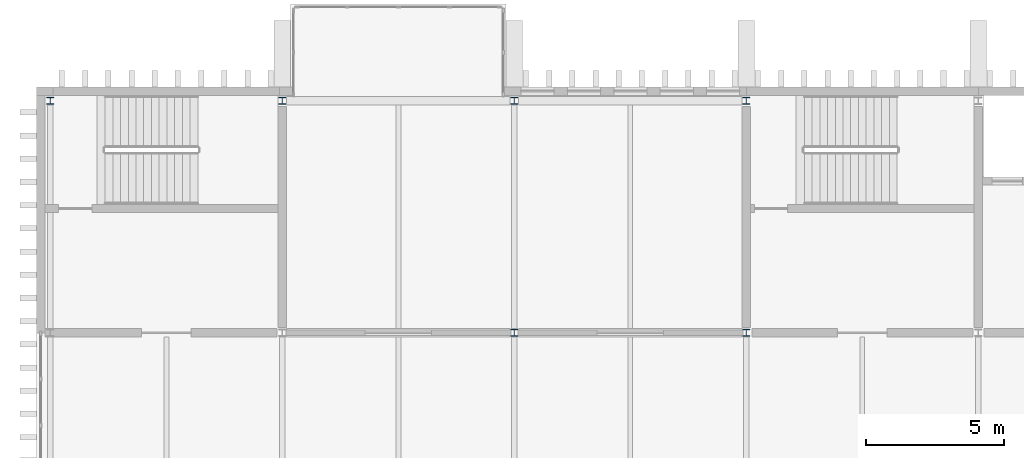
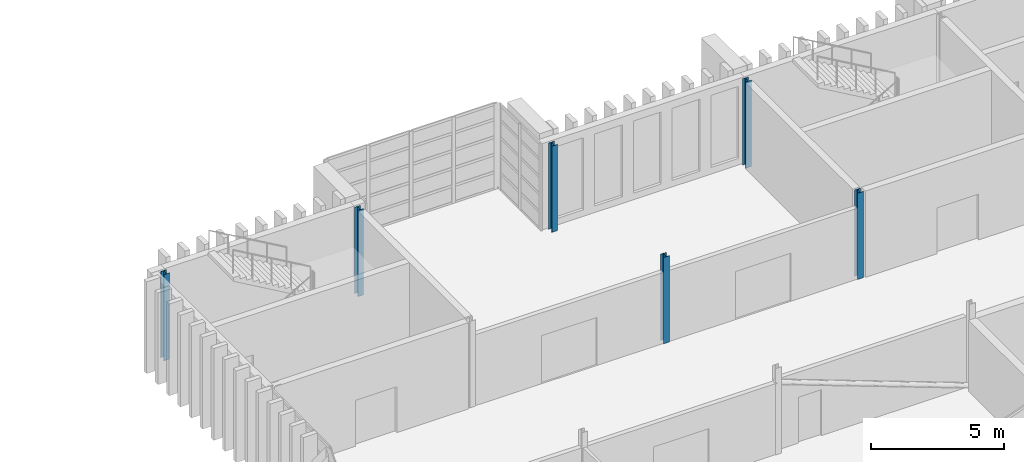
# One storey, part 2 of 88: 6 columns.
"""IFC4 building model written with IfcOpenShell, lengths in metres."""

from ifc_helpers import new_model, si_unit, direction, frame, origin, origin_2d, place, context, subcontext, project, spatial, i_section, extrude, material, material_profile, profile_set, type_object, element, save


model = new_model("IFC4")

# Units and contexts
model_context = context("Model", 3, precision=1e-05, world=origin(), true_north=direction((0.0, 1.0)))
body_context = subcontext(model_context, "Body", "Model", "MODEL_VIEW")
ifc_project = project(units=[si_unit("LENGTHUNIT", "METRE"), si_unit("AREAUNIT", "SQUARE_METRE"), si_unit("VOLUMEUNIT", "CUBIC_METRE"), si_unit("PLANEANGLEUNIT", "RADIAN"), si_unit("MASSUNIT", "GRAM", prefix="KILO")], contexts=[model_context])

# Site, building, storey
site_placement = place(None, origin())
site = spatial("IfcSite", under=ifc_project, at=site_placement, CompositionType="ELEMENT")
building_placement = place(site_placement, origin())
building = spatial("IfcBuilding", under=site, at=building_placement, Name="Cresset Court Congress Hotel", CompositionType="ELEMENT")
storey_placement = place(building_placement, frame((0.0, 0.0, 14.39990234375)))
storey = spatial("IfcBuildingStorey", under=building, at=storey_placement, Name="L03", CompositionType="ELEMENT", Elevation=14.39990234375)

# Columns
ifc_material = material(Name="Structural steel Q355B", Category="steel")
ifc_material_profile = material_profile(ifc_material, i_section(OverallWidth=0.25, OverallDepth=0.25, WebThickness=0.009033203125, FlangeThickness=0.013916015625, FilletRadius=0.012939453125, at=origin_2d()), Name="HW250x250x9x14")
ifc_profile_set = profile_set([ifc_material_profile], Name="Structural steel Q355B")
column_type = type_object("IfcColumnType", Name="Steel column HW250x250x9x14", PredefinedType="COLUMN", material=ifc_profile_set)
for number, where, z_axis, x_axis, name in (
    (1, (8.39990234375, 25.199951171875, 0.0), (0.0, 0.0, 1.0), (1.0, 0.0, 0.0), "B.col.L03.02D"),
    (2, (16.800048828125, 25.199951171875, 0.0), (0.0, 0.0, 1.0), (1.0, 0.0, 0.0), "B.col.L03.03D"),
    (3, (25.199951171875, 16.800048828125, 0.0), (0.0, 0.0, 1.0), (1.0, 0.0, 0.0), "B.col.L03.04C"),
    (4, (25.199951171875, 25.199951171875, 0.0), (0.0, 0.0, 1.0), (1.0, 0.0, 0.0), "B.col.L03.04D"),
    (5, (33.60009765625, 16.800048828125, 0.0), (0.0, 0.0, 1.0), (1.0, 0.0, 0.0), "B.col.L03.05C"),
    (6, (33.60009765625, 25.199951171875, 0.0), (0.0, 0.0, 1.0), (1.0, 0.0, 0.0), "B.col.L03.05D"),
):
    element("IfcColumn", number, at=place(storey_placement, frame(where, z_axis=z_axis, x_axis=x_axis)), inside=storey, type_object=column_type, Name=name, PredefinedType="COLUMN", context=body_context, shape_type="SweptSolid", body=[
        extrude(i_section(OverallWidth=0.25, OverallDepth=0.25, WebThickness=0.009033203125, FlangeThickness=0.013916015625, FilletRadius=0.012939453125, at=origin_2d()), origin(), (0.0, 0.0, 1.0), 3.9501953125),
    ])

save(model, "model.ifc")
